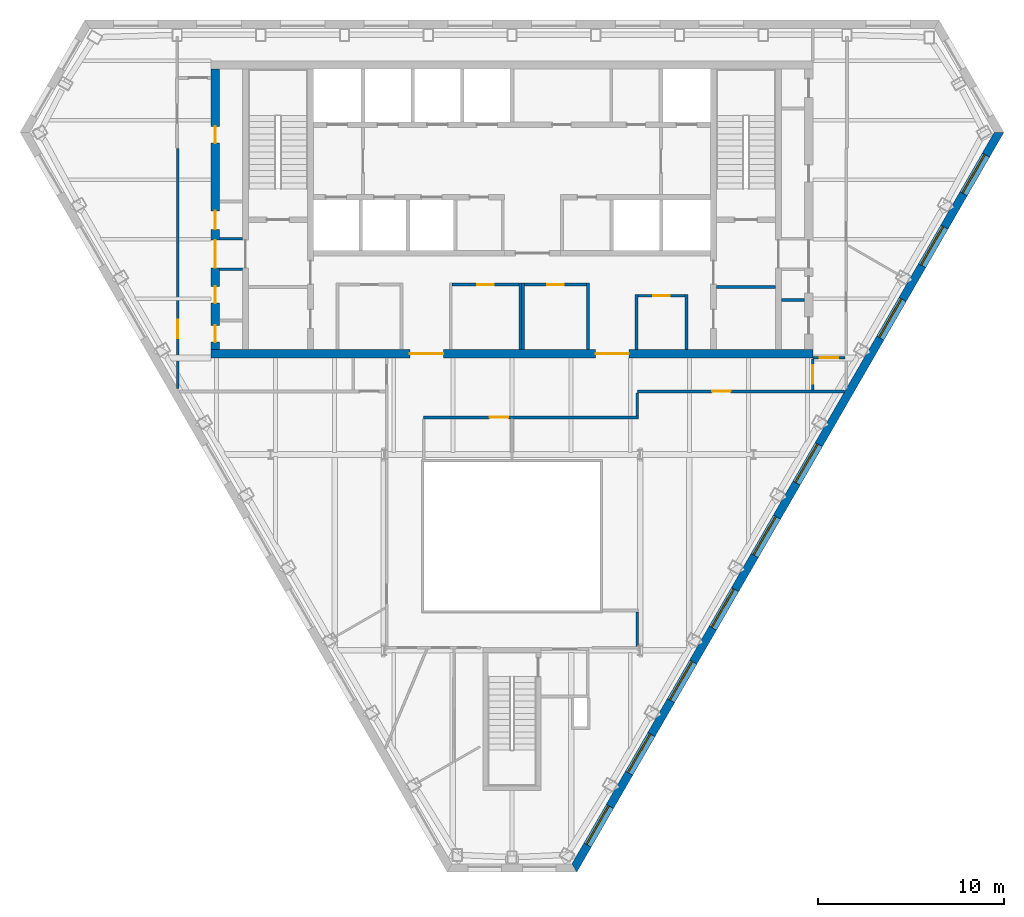
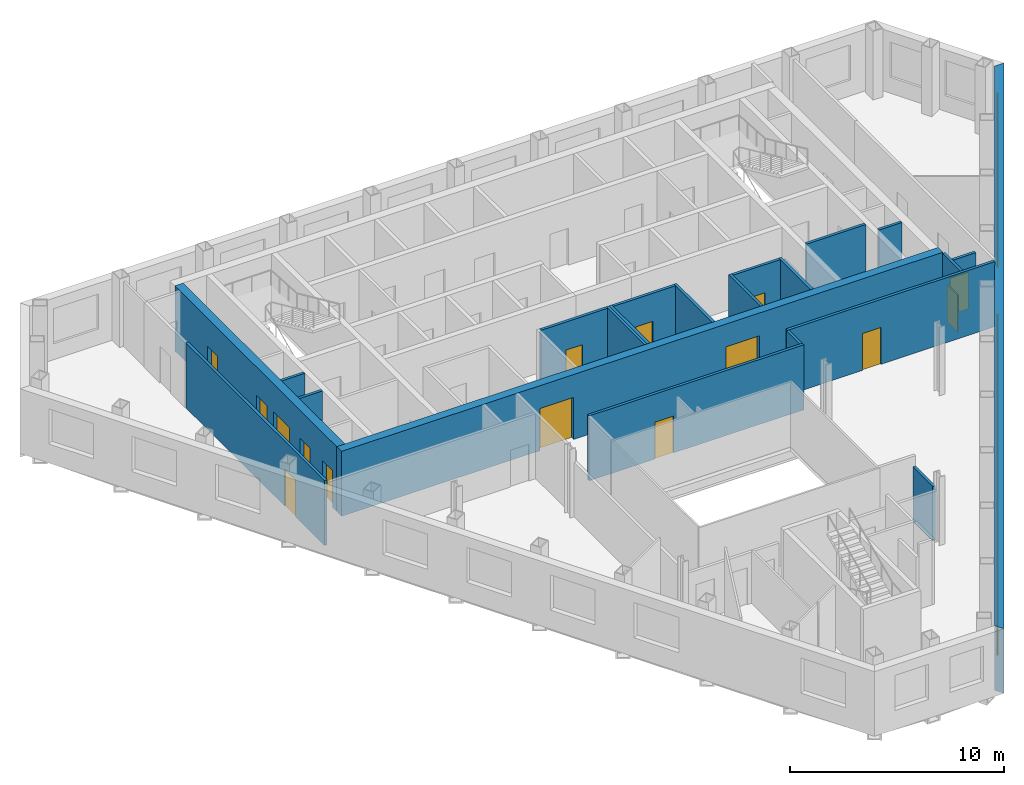
# One storey, part 5 of 11: 22 walls, 15 doors, 9 windows, 24 openings.
"""IFC4 building model written with IfcOpenShell, lengths in metres."""

from ifc_helpers import new_model, si_unit, direction, frame, frame_2d, origin, place, context, subcontext, project, spatial, polyline, rectangle, outline, extrude, material, layer, layer_set, type_object, element, fill, save


model = new_model("IFC4")

# Units and contexts
model_context = context("Model", 3, precision=1e-05, world=origin(), true_north=direction((0.0, 1.0)))
body_context = subcontext(model_context, "Body", "Model", "MODEL_VIEW")
ifc_project = project(units=[si_unit("LENGTHUNIT", "METRE"), si_unit("AREAUNIT", "SQUARE_METRE"), si_unit("VOLUMEUNIT", "CUBIC_METRE"), si_unit("PLANEANGLEUNIT", "RADIAN"), si_unit("MASSUNIT", "GRAM", prefix="KILO")], contexts=[model_context])

# Site, building, storey
site_placement = place(None, origin())
site = spatial("IfcSite", under=ifc_project, at=site_placement, CompositionType="ELEMENT")
building_placement = place(site_placement, origin())
building = spatial("IfcBuilding", under=site, at=building_placement, Name="Njiva Tower", CompositionType="ELEMENT")
storey_placement = place(building_placement, frame((0.0, 0.0, 216.0)))
storey = spatial("IfcBuildingStorey", under=building, at=storey_placement, Name="L48", CompositionType="ELEMENT", Elevation=216.0)

# Walls
ifc_material_1 = material(Name="Blockwork", Category="masonry")
ifc_layer_1 = layer(ifc_material_1, 0.15)
ifc_layer_set_1 = layer_set([ifc_layer_1], Name="Blockwork")
wall_type_1 = type_object("IfcWallType", Name="WT1 Compartment partition 150", PredefinedType="PARTITIONING", material=ifc_layer_set_1)
wall_1_placement = place(storey_placement, frame((11.0, 5.825, 0.0), z_axis=(0.0, 0.0, 1.0), x_axis=(1.0, 0.0, 0.0)))
element("IfcWall", 1, at=wall_1_placement, inside=storey, type_object=wall_type_1, Name="Room wall B", PredefinedType="PARTITIONING", context=body_context, shape_type="SweptSolid", body=[
    extrude(rectangle(XDim=3.2, YDim=0.15, at=frame_2d((1.6, 0.0))), origin(), (0.0, 0.0, 1.0), 3.7),
])
wall_2_placement = place(storey_placement, frame((0.45, 2.45, 0.0), z_axis=(0.0, 0.0, 1.0), x_axis=(0.0, 1.0, 0.0)))
element("IfcWall", 2, at=wall_2_placement, inside=storey, type_object=wall_type_1, Name="First aid room wall east", PredefinedType="PARTITIONING", context=body_context, shape_type="SweptSolid", body=[
    extrude(rectangle(XDim=3.575, YDim=0.15, at=frame_2d((1.7875, 0.0))), origin(), (0.0, 0.0, 1.0), 3.7),
])

# Wall, opening, door
wall_3_placement = place(storey_placement, frame((-3.225, 5.95, 0.0), z_axis=(0.0, 0.0, 1.0), x_axis=(1.0, 0.0, 0.0)))
wall_3 = element("IfcWall", 3, at=wall_3_placement, inside=storey, type_object=wall_type_1, Name="First aid room wall north", PredefinedType="PARTITIONING", context=body_context, shape_type="SweptSolid", body=[
    extrude(rectangle(XDim=3.6, YDim=0.15, at=frame_2d((1.8, 0.0))), origin(), (0.0, 0.0, 1.0), 3.7),
])
opening_1_placement = place(wall_3_placement, frame((1.35, 0.0, 0.0)))
opening_1 = element("IfcOpeningElement", 4, at=opening_1_placement, cuts=wall_3, Name="Opening S16-D934", PredefinedType="OPENING", context=body_context, shape_type="SweptSolid", body=[
    extrude(rectangle(XDim=0.9, YDim=2.1, at=frame_2d((0.45, 1.05))), frame((0.0, 0.085, 0.0), z_axis=(0.0, -1.0, 0.0), x_axis=(1.0, 0.0, 0.0)), (0.0, 0.0, 1.0), 0.17),
])
ifc_material_2 = material(Name="Steel fire door, painted", Category="steel")
door_type_1 = type_object("IfcDoorType", Name="D6 Fire-rated door 900x2100", OperationType="SINGLE_SWING_LEFT", PredefinedType="DOOR", material=ifc_material_2)
door_1_placement = place(opening_1_placement, origin())
door_1 = element("IfcDoor", 5, at=door_1_placement, inside=storey, type_object=door_type_1, Name="First aid room door", OperationType="SINGLE_SWING_LEFT", OverallHeight=2.1, OverallWidth=0.9, PredefinedType="DOOR", context=body_context, shape_type="SweptSolid", body=[
    extrude(rectangle(XDim=0.9, YDim=2.1, at=frame_2d((0.45, 1.05))), frame((0.0, 0.025, 0.0), z_axis=(0.0, -1.0, 0.0), x_axis=(1.0, 0.0, 0.0)), (0.0, 0.0, 1.0), 0.05),
])
fill(opening_1, door_1)

# Walls
for number, where, z_axis, x_axis, name in (
    (6, (0.6, 2.45, 0.0), (0.0, 0.0, 1.0), (0.0, 1.0, 0.0), "Parcel room wall west"),
    (7, (4.1, 2.45, 0.0), (0.0, 0.0, 1.0), (0.0, 1.0, 0.0), "Parcel room wall east"),
):
    element("IfcWall", number, at=place(storey_placement, frame(where, z_axis=z_axis, x_axis=x_axis)), inside=storey, type_object=wall_type_1, Name=name, PredefinedType="PARTITIONING", context=body_context, shape_type="SweptSolid", body=[
        extrude(rectangle(XDim=3.575, YDim=0.15, at=frame_2d((1.7875, 0.0))), origin(), (0.0, 0.0, 1.0), 3.7),
    ])

# Wall, opening, door
wall_4_placement = place(storey_placement, frame((0.675, 5.95, 0.0), z_axis=(0.0, 0.0, 1.0), x_axis=(1.0, 0.0, 0.0)))
wall_4 = element("IfcWall", 8, at=wall_4_placement, inside=storey, type_object=wall_type_1, Name="Parcel room wall north", PredefinedType="PARTITIONING", context=body_context, shape_type="SweptSolid", body=[
    extrude(rectangle(XDim=3.35, YDim=0.15, at=frame_2d((1.675, 0.0))), origin(), (0.0, 0.0, 1.0), 3.7),
])
opening_2_placement = place(wall_4_placement, frame((1.225, 0.0, 0.0)))
opening_2 = element("IfcOpeningElement", 9, at=opening_2_placement, cuts=wall_4, Name="Opening S16-D935", PredefinedType="OPENING", context=body_context, shape_type="SweptSolid", body=[
    extrude(rectangle(XDim=0.9, YDim=2.1, at=frame_2d((0.45, 1.05))), frame((0.0, 0.085, 0.0), z_axis=(0.0, -1.0, 0.0), x_axis=(1.0, 0.0, 0.0)), (0.0, 0.0, 1.0), 0.17),
])
door_2_placement = place(opening_2_placement, origin())
door_2 = element("IfcDoor", 10, at=door_2_placement, inside=storey, type_object=door_type_1, Name="Parcel room door", OperationType="SINGLE_SWING_LEFT", OverallHeight=2.1, OverallWidth=0.9, PredefinedType="DOOR", context=body_context, shape_type="SweptSolid", body=[
    extrude(rectangle(XDim=0.9, YDim=2.1, at=frame_2d((0.45, 1.05))), frame((0.0, 0.025, 0.0), z_axis=(0.0, -1.0, 0.0), x_axis=(1.0, 0.0, 0.0)), (0.0, 0.0, 1.0), 0.05),
])
fill(opening_2, door_2)

# Walls
for number, where, z_axis, x_axis, name in (
    (11, (6.7, 2.45, 0.0), (0.0, 0.0, 1.0), (0.0, 1.0, 0.0), "Security office wall west"),
    (12, (9.4, 2.45, 0.0), (0.0, 0.0, 1.0), (0.0, 1.0, 0.0), "Security office wall east"),
):
    element("IfcWall", number, at=place(storey_placement, frame(where, z_axis=z_axis, x_axis=x_axis)), inside=storey, type_object=wall_type_1, Name=name, PredefinedType="PARTITIONING", context=body_context, shape_type="SweptSolid", body=[
        extrude(rectangle(XDim=2.975, YDim=0.15, at=frame_2d((1.4875, 0.0))), origin(), (0.0, 0.0, 1.0), 3.7),
    ])

# Wall, opening, door
wall_5_placement = place(storey_placement, frame((6.775, 5.35, 0.0), z_axis=(0.0, 0.0, 1.0), x_axis=(1.0, 0.0, 0.0)))
wall_5 = element("IfcWall", 13, at=wall_5_placement, inside=storey, type_object=wall_type_1, Name="Security office wall north", PredefinedType="PARTITIONING", context=body_context, shape_type="SweptSolid", body=[
    extrude(rectangle(XDim=2.55, YDim=0.15, at=frame_2d((1.275, 0.0))), origin(), (0.0, 0.0, 1.0), 3.7),
])
opening_3_placement = place(wall_5_placement, frame((0.825, 0.0, 0.0)))
opening_3 = element("IfcOpeningElement", 14, at=opening_3_placement, cuts=wall_5, Name="Opening S16-D936", PredefinedType="OPENING", context=body_context, shape_type="SweptSolid", body=[
    extrude(rectangle(XDim=0.9, YDim=2.1, at=frame_2d((0.45, 1.05))), frame((0.0, 0.085, 0.0), z_axis=(0.0, -1.0, 0.0), x_axis=(1.0, 0.0, 0.0)), (0.0, 0.0, 1.0), 0.17),
])
door_3_placement = place(opening_3_placement, origin())
door_3 = element("IfcDoor", 15, at=door_3_placement, inside=storey, type_object=door_type_1, Name="Security office door", OperationType="SINGLE_SWING_RIGHT", OverallHeight=2.1, OverallWidth=0.9, PredefinedType="DOOR", context=body_context, shape_type="SweptSolid", body=[
    extrude(rectangle(XDim=0.9, YDim=2.1, at=frame_2d((0.45, 1.05))), frame((0.0, 0.025, 0.0), z_axis=(0.0, -1.0, 0.0), x_axis=(1.0, 0.0, 0.0)), (0.0, 0.0, 1.0), 0.05),
])
fill(opening_3, door_3)

# Wall, openings, doors
ifc_material_3 = material(Name="Concrete C60/75", Category="concrete")
ifc_layer_2 = layer(ifc_material_3, 0.45)
ifc_layer_set_2 = layer_set([ifc_layer_2], Name="Concrete C60/75")
wall_type_2 = type_object("IfcWallType", Name="WT12 Core wall 450", PredefinedType="SHEAR", material=ifc_layer_set_2)
wall_6_placement = place(storey_placement, frame((-16.2, 2.225, 0.0), z_axis=(0.0, 0.0, 1.0), x_axis=(1.0, 0.0, 0.0)))
wall_6 = element("IfcWall", 16, at=wall_6_placement, inside=storey, type_object=wall_type_2, Name="Core wall south", PredefinedType="SHEAR", context=body_context, shape_type="SweptSolid", body=[
    extrude(rectangle(XDim=32.4, YDim=0.45, at=frame_2d((16.2, 0.0))), origin(), (0.0, 0.0, 1.0), 3.7),
])
opening_4_placement = place(wall_6_placement, frame((10.7, 0.0, 0.0)))
opening_4 = element("IfcOpeningElement", 17, at=opening_4_placement, cuts=wall_6, Name="Opening S16-D938", PredefinedType="OPENING", context=body_context, shape_type="SweptSolid", body=[
    extrude(rectangle(XDim=1.8, YDim=2.4, at=frame_2d((0.9, 1.2))), frame((0.0, 0.235, 0.0), z_axis=(0.0, -1.0, 0.0), x_axis=(1.0, 0.0, 0.0)), (0.0, 0.0, 1.0), 0.47),
])
opening_5_placement = place(wall_6_placement, frame((20.7, 0.0, 0.0)))
opening_5 = element("IfcOpeningElement", 18, at=opening_5_placement, cuts=wall_6, Name="Opening S16-D939", PredefinedType="OPENING", context=body_context, shape_type="SweptSolid", body=[
    extrude(rectangle(XDim=1.8, YDim=2.4, at=frame_2d((0.9, 1.2))), frame((0.0, 0.235, 0.0), z_axis=(0.0, -1.0, 0.0), x_axis=(1.0, 0.0, 0.0)), (0.0, 0.0, 1.0), 0.47),
])
ifc_material_4 = material(Name="Steel and glass door", Category="steel")
door_type_2 = type_object("IfcDoorType", Name="D3 Core entrance door 1800x2400", OperationType="DOUBLE_DOOR_SINGLE_SWING", PredefinedType="DOOR", material=ifc_material_4)
door_4_placement = place(opening_4_placement, origin())
door_4 = element("IfcDoor", 19, at=door_4_placement, inside=storey, type_object=door_type_2, Name="Core entrance door", OperationType="DOUBLE_DOOR_SINGLE_SWING", OverallHeight=2.4, OverallWidth=1.8, PredefinedType="DOOR", context=body_context, shape_type="SweptSolid", body=[
    extrude(rectangle(XDim=1.8, YDim=2.4, at=frame_2d((0.9, 1.2))), frame((0.0, 0.025, 0.0), z_axis=(0.0, -1.0, 0.0), x_axis=(1.0, 0.0, 0.0)), (0.0, 0.0, 1.0), 0.05),
])
fill(opening_4, door_4)
door_5_placement = place(opening_5_placement, origin())
door_5 = element("IfcDoor", 20, at=door_5_placement, inside=storey, type_object=door_type_2, Name="Core entrance door", OperationType="DOUBLE_DOOR_SINGLE_SWING", OverallHeight=2.4, OverallWidth=1.8, PredefinedType="DOOR", context=body_context, shape_type="SweptSolid", body=[
    extrude(rectangle(XDim=1.8, YDim=2.4, at=frame_2d((0.9, 1.2))), frame((0.0, 0.025, 0.0), z_axis=(0.0, -1.0, 0.0), x_axis=(1.0, 0.0, 0.0)), (0.0, 0.0, 1.0), 0.05),
])
fill(opening_5, door_5)

wall_7_placement = place(storey_placement, frame((-15.975, 2.45, 0.0), z_axis=(0.0, 0.0, 1.0), x_axis=(0.0, 1.0, 0.0)))
wall_7 = element("IfcWall", 21, at=wall_7_placement, inside=storey, type_object=wall_type_2, Name="Core wall west", PredefinedType="SHEAR", context=body_context, shape_type="SweptSolid", body=[
    extrude(rectangle(XDim=15.1, YDim=0.45, at=frame_2d((7.55, 0.0))), origin(), (0.0, 0.0, 1.0), 3.7),
])
opening_6_placement = place(wall_7_placement, frame((4.4, 0.0, 0.0)))
opening_6 = element("IfcOpeningElement", 22, at=opening_6_placement, cuts=wall_7, Name="Opening S16-D922", PredefinedType="OPENING", context=body_context, shape_type="SweptSolid", body=[
    extrude(rectangle(XDim=1.5, YDim=2.1, at=frame_2d((0.75, 1.05))), frame((0.0, 0.235, 0.0), z_axis=(0.0, -1.0, 0.0), x_axis=(1.0, 0.0, 0.0)), (0.0, 0.0, 1.0), 0.47),
])
opening_7_placement = place(wall_7_placement, frame((0.4, 0.0, 0.0)))
opening_7 = element("IfcOpeningElement", 23, at=opening_7_placement, cuts=wall_7, Name="Opening S16-D923", PredefinedType="OPENING", context=body_context, shape_type="SweptSolid", body=[
    extrude(rectangle(XDim=0.9, YDim=2.1, at=frame_2d((0.45, 1.05))), frame((0.0, 0.235, 0.0), z_axis=(0.0, -1.0, 0.0), x_axis=(1.0, 0.0, 0.0)), (0.0, 0.0, 1.0), 0.47),
])
opening_8_placement = place(wall_7_placement, frame((2.5, 0.0, 0.0)))
opening_8 = element("IfcOpeningElement", 24, at=opening_8_placement, cuts=wall_7, Name="Opening S16-D924", PredefinedType="OPENING", context=body_context, shape_type="SweptSolid", body=[
    extrude(rectangle(XDim=0.9, YDim=2.1, at=frame_2d((0.45, 1.05))), frame((0.0, 0.235, 0.0), z_axis=(0.0, -1.0, 0.0), x_axis=(1.0, 0.0, 0.0)), (0.0, 0.0, 1.0), 0.47),
])
opening_9_placement = place(wall_7_placement, frame((6.4747, 0.0, 0.0)))
opening_9 = element("IfcOpeningElement", 25, at=opening_9_placement, cuts=wall_7, Name="Opening S16-D925", PredefinedType="OPENING", context=body_context, shape_type="SweptSolid", body=[
    extrude(rectangle(XDim=1.0, YDim=2.1, at=frame_2d((0.5, 1.05))), frame((0.0, 0.235, 0.0), z_axis=(0.0, -1.0, 0.0), x_axis=(1.0, 0.0, 0.0)), (0.0, 0.0, 1.0), 0.47),
])
opening_10_placement = place(wall_7_placement, frame((11.1247, 0.0, 0.0)))
opening_10 = element("IfcOpeningElement", 26, at=opening_10_placement, cuts=wall_7, Name="Opening S16-D926", PredefinedType="OPENING", context=body_context, shape_type="SweptSolid", body=[
    extrude(rectangle(XDim=0.9, YDim=2.1, at=frame_2d((0.45, 1.05))), frame((0.0, 0.235, 0.0), z_axis=(0.0, -1.0, 0.0), x_axis=(1.0, 0.0, 0.0)), (0.0, 0.0, 1.0), 0.47),
])
ifc_material_5 = material(Name="Glazed steel fire door", Category="steel")
door_type_3 = type_object("IfcDoorType", Name="D10 Exit door double 1500x2100 glazed", OperationType="DOUBLE_DOOR_SINGLE_SWING", PredefinedType="DOOR", material=ifc_material_5)
door_6_placement = place(opening_6_placement, origin())
door_6 = element("IfcDoor", 27, at=door_6_placement, inside=storey, type_object=door_type_3, Name="Stair A corridor door", OperationType="DOUBLE_DOOR_SINGLE_SWING", OverallHeight=2.1, OverallWidth=1.5, PredefinedType="DOOR", context=body_context, shape_type="SweptSolid", body=[
    extrude(rectangle(XDim=1.5, YDim=2.1, at=frame_2d((0.75, 1.05))), frame((0.0, 0.025, 0.0), z_axis=(0.0, -1.0, 0.0), x_axis=(1.0, 0.0, 0.0)), (0.0, 0.0, 1.0), 0.05),
])
fill(opening_6, door_6)
ifc_material_6 = material(Name="Steel door, painted", Category="steel")
door_type_4 = type_object("IfcDoorType", Name="D4 Riser door 900x2100", OperationType="SINGLE_SWING_LEFT", PredefinedType="DOOR", material=ifc_material_6)
door_7_placement = place(opening_7_placement, origin())
door_7 = element("IfcDoor", 28, at=door_7_placement, inside=storey, type_object=door_type_4, Name="Cable riser door", OperationType="SINGLE_SWING_RIGHT", OverallHeight=2.1, OverallWidth=0.9, PredefinedType="DOOR", context=body_context, shape_type="SweptSolid", body=[
    extrude(rectangle(XDim=0.9, YDim=2.1, at=frame_2d((0.45, 1.05))), frame((0.0, 0.025, 0.0), z_axis=(0.0, -1.0, 0.0), x_axis=(1.0, 0.0, 0.0)), (0.0, 0.0, 1.0), 0.05),
])
fill(opening_7, door_7)
door_type_5 = type_object("IfcDoorType", Name="D5 Steel door 1000x2100", OperationType="SINGLE_SWING_LEFT", PredefinedType="DOOR", material=ifc_material_6)
door_8_placement = place(opening_9_placement, origin())
door_8 = element("IfcDoor", 29, at=door_8_placement, inside=storey, type_object=door_type_5, Name="Electrical room door", OperationType="SINGLE_SWING_RIGHT", OverallHeight=2.1, OverallWidth=1.0, PredefinedType="DOOR", context=body_context, shape_type="SweptSolid", body=[
    extrude(rectangle(XDim=1.0, YDim=2.1, at=frame_2d((0.5, 1.05))), frame((0.0, 0.025, 0.0), z_axis=(0.0, -1.0, 0.0), x_axis=(1.0, 0.0, 0.0)), (0.0, 0.0, 1.0), 0.05),
])
fill(opening_9, door_8)
door_9_placement = place(opening_8_placement, origin())
door_9 = element("IfcDoor", 30, at=door_9_placement, inside=storey, type_object=door_type_1, Name="Cable store door", OperationType="SINGLE_SWING_RIGHT", OverallHeight=2.1, OverallWidth=0.9, PredefinedType="DOOR", context=body_context, shape_type="SweptSolid", body=[
    extrude(rectangle(XDim=0.9, YDim=2.1, at=frame_2d((0.45, 1.05))), frame((0.0, 0.025, 0.0), z_axis=(0.0, -1.0, 0.0), x_axis=(1.0, 0.0, 0.0)), (0.0, 0.0, 1.0), 0.05),
])
fill(opening_8, door_9)
door_10_placement = place(opening_10_placement, origin())
door_10 = element("IfcDoor", 31, at=door_10_placement, inside=storey, type_object=door_type_1, Name="Cable store door", OperationType="SINGLE_SWING_LEFT", OverallHeight=2.1, OverallWidth=0.9, PredefinedType="DOOR", context=body_context, shape_type="SweptSolid", body=[
    extrude(rectangle(XDim=0.9, YDim=2.1, at=frame_2d((0.45, 1.05))), frame((0.0, 0.025, 0.0), z_axis=(0.0, -1.0, 0.0), x_axis=(1.0, 0.0, 0.0)), (0.0, 0.0, 1.0), 0.05),
])
fill(opening_10, door_10)

# Wall, opening, door
ifc_material_7 = material(Name="Gypsum board on steel studs", Category="gypsum")
ifc_layer_3 = layer(ifc_material_7, 0.15)
ifc_layer_set_3 = layer_set([ifc_layer_3], Name="Gypsum board on steel studs")
wall_type_3 = type_object("IfcWallType", Name="WT21 Compartment wall 150", PredefinedType="PARTITIONING", material=ifc_layer_set_3)
wall_8_placement = place(storey_placement, frame((-18.001, 0.344, 0.0), z_axis=(0.0, 0.0, 1.0), x_axis=(7.732158e-05, 0.999999997011, 0.0)))
wall_8 = element("IfcWall", 32, at=wall_8_placement, inside=storey, type_object=wall_type_3, Name="Partition S16-P003", PredefinedType="PARTITIONING", context=body_context, shape_type="SweptSolid", body=[
    extrude(rectangle(XDim=12.933, YDim=0.15, at=frame_2d((6.4665, 0.0))), origin(), (0.0, 0.0, 1.0), 3.7),
])
opening_11_placement = place(wall_8_placement, frame((2.707, 0.0, 0.0)))
opening_11 = element("IfcOpeningElement", 33, at=opening_11_placement, cuts=wall_8, Name="Opening S16-D002", PredefinedType="OPENING", context=body_context, shape_type="SweptSolid", body=[
    extrude(rectangle(XDim=1.0, YDim=2.1, at=frame_2d((0.5, 1.05))), frame((0.0, 0.085, 0.0), z_axis=(0.0, -1.0, 0.0), x_axis=(1.0, 0.0, 0.0)), (0.0, 0.0, 1.0), 0.17),
])
ifc_material_8 = material(Name="Steel fire door set", Category="steel")
door_type_6 = type_object("IfcDoorType", Name="D37 Fire door 1000x2100", OperationType="SINGLE_SWING_LEFT", PredefinedType="DOOR", material=ifc_material_8)
door_11_placement = place(opening_11_placement, origin())
door_11 = element("IfcDoor", 34, at=door_11_placement, inside=storey, type_object=door_type_6, Name="Door S16-D002", OperationType="SINGLE_SWING_RIGHT", OverallHeight=2.1, OverallWidth=1.0, PredefinedType="DOOR", context=body_context, shape_type="SweptSolid", body=[
    extrude(rectangle(XDim=1.0, YDim=2.1, at=frame_2d((0.5, 1.05))), frame((0.0, 0.025, 0.0), z_axis=(0.0, -1.0, 0.0), x_axis=(1.0, 0.0, 0.0)), (0.0, 0.0, 1.0), 0.05),
])
fill(opening_11, door_11)

wall_9_placement = place(storey_placement, frame((-4.762, -1.2, 0.0), z_axis=(0.0, 0.0, 1.0), x_axis=(1.0, 0.0, 0.0)))
wall_9 = element("IfcWall", 35, at=wall_9_placement, inside=storey, type_object=wall_type_3, Name="Partition S16-P012", PredefinedType="PARTITIONING", context=body_context, shape_type="SweptSolid", body=[
    extrude(rectangle(XDim=11.587, YDim=0.15, at=frame_2d((5.7935, 0.0))), origin(), (0.0, 0.0, 1.0), 3.7),
])
opening_12_placement = place(wall_9_placement, frame((3.561, 0.0, 0.0)))
opening_12 = element("IfcOpeningElement", 36, at=opening_12_placement, cuts=wall_9, Name="Opening S16-D010", PredefinedType="OPENING", context=body_context, shape_type="SweptSolid", body=[
    extrude(rectangle(XDim=1.0, YDim=2.1, at=frame_2d((0.5, 1.05))), frame((0.0, 0.085, 0.0), z_axis=(0.0, -1.0, 0.0), x_axis=(1.0, 0.0, 0.0)), (0.0, 0.0, 1.0), 0.17),
])
door_12_placement = place(opening_12_placement, origin())
door_12 = element("IfcDoor", 37, at=door_12_placement, inside=storey, type_object=door_type_6, Name="Door S16-D010", OperationType="SINGLE_SWING_LEFT", OverallHeight=2.1, OverallWidth=1.0, PredefinedType="DOOR", context=body_context, shape_type="SweptSolid", body=[
    extrude(rectangle(XDim=1.0, YDim=2.1, at=frame_2d((0.5, 1.05))), frame((0.0, 0.025, 0.0), z_axis=(0.0, -1.0, 0.0), x_axis=(1.0, 0.0, 0.0)), (0.0, 0.0, 1.0), 0.05),
])
fill(opening_12, door_12)

# Walls
wall_10_placement = place(storey_placement, frame((6.75, -13.525, 0.0), z_axis=(0.0, 0.0, 1.0), x_axis=(0.0, 1.0, 0.0)))
element("IfcWall", 38, at=wall_10_placement, inside=storey, type_object=wall_type_3, Name="Partition S16-P019", PredefinedType="PARTITIONING", context=body_context, shape_type="SweptSolid", body=[
    extrude(rectangle(XDim=1.85, YDim=0.15, at=frame_2d((0.925, 0.0))), origin(), (0.0, 0.0, 1.0), 3.11),
])
wall_11_placement = place(storey_placement, frame((6.75, -1.125, 0.0), z_axis=(0.0, 0.0, 1.0), x_axis=(0.0, 1.0, 0.0)))
element("IfcWall", 39, at=wall_11_placement, inside=storey, type_object=wall_type_3, Name="Partition S16-P020", PredefinedType="PARTITIONING", context=body_context, shape_type="SweptSolid", body=[
    extrude(rectangle(XDim=1.25, YDim=0.15, at=frame_2d((0.625, 0.0))), origin(), (0.0, 0.0, 1.0), 3.7),
])

# Wall, opening, door
wall_12_placement = place(storey_placement, frame((6.75, 0.2, 0.0), z_axis=(0.0, 0.0, 1.0), x_axis=(1.0, 0.0, 0.0)))
wall_12 = element("IfcWall", 40, at=wall_12_placement, inside=storey, type_object=wall_type_3, Name="Partition S16-P021", PredefinedType="PARTITIONING", context=body_context, shape_type="SweptSolid", body=[
    extrude(rectangle(XDim=11.168, YDim=0.15, at=frame_2d((5.584, 0.0))), origin(), (0.0, 0.0, 1.0), 3.7),
])
opening_13_placement = place(wall_12_placement, frame((4.03, 0.0, 0.0)))
opening_13 = element("IfcOpeningElement", 41, at=opening_13_placement, cuts=wall_12, Name="Opening S16-D011", PredefinedType="OPENING", context=body_context, shape_type="SweptSolid", body=[
    extrude(rectangle(XDim=1.0, YDim=2.1, at=frame_2d((0.5, 1.05))), frame((0.0, 0.085, 0.0), z_axis=(0.0, -1.0, 0.0), x_axis=(1.0, 0.0, 0.0)), (0.0, 0.0, 1.0), 0.17),
])
door_13_placement = place(opening_13_placement, origin())
door_13 = element("IfcDoor", 42, at=door_13_placement, inside=storey, type_object=door_type_6, Name="Door S16-D011", OperationType="SINGLE_SWING_LEFT", OverallHeight=2.1, OverallWidth=1.0, PredefinedType="DOOR", context=body_context, shape_type="SweptSolid", body=[
    extrude(rectangle(XDim=1.0, YDim=2.1, at=frame_2d((0.5, 1.05))), frame((0.0, 0.025, 0.0), z_axis=(0.0, -1.0, 0.0), x_axis=(1.0, 0.0, 0.0)), (0.0, 0.0, 1.0), 0.05),
])
fill(opening_13, door_13)

wall_13_placement = place(storey_placement, frame((16.2, 0.275, 0.0), z_axis=(0.0, 0.0, 1.0), x_axis=(0.0, 1.0, 0.0)))
wall_13 = element("IfcWall", 43, at=wall_13_placement, inside=storey, type_object=wall_type_3, Name="Partition S16-P022", PredefinedType="PARTITIONING", context=body_context, shape_type="SweptSolid", body=[
    extrude(rectangle(XDim=1.662, YDim=0.15, at=frame_2d((0.831, 0.0))), origin(), (0.0, 0.0, 1.0), 3.7),
])
opening_14_placement = place(wall_13_placement, frame((0.331, 0.0, 0.0)))
opening_14 = element("IfcOpeningElement", 44, at=opening_14_placement, cuts=wall_13, Name="Opening S16-D012", PredefinedType="OPENING", context=body_context, shape_type="SweptSolid", body=[
    extrude(rectangle(XDim=1.0, YDim=2.1, at=frame_2d((0.5, 1.05))), frame((0.0, 0.085, 0.0), z_axis=(0.0, -1.0, 0.0), x_axis=(1.0, 0.0, 0.0)), (0.0, 0.0, 1.0), 0.17),
])
door_14_placement = place(opening_14_placement, origin())
door_14 = element("IfcDoor", 45, at=door_14_placement, inside=storey, type_object=door_type_6, Name="Door S16-D012", OperationType="SINGLE_SWING_LEFT", OverallHeight=2.1, OverallWidth=1.0, PredefinedType="DOOR", context=body_context, shape_type="SweptSolid", body=[
    extrude(rectangle(XDim=1.0, YDim=2.1, at=frame_2d((0.5, 1.05))), frame((0.0, 0.025, 0.0), z_axis=(0.0, -1.0, 0.0), x_axis=(1.0, 0.0, 0.0)), (0.0, 0.0, 1.0), 0.05),
])
fill(opening_14, door_14)

wall_14_placement = place(storey_placement, frame((16.2, 2.012, 0.0), z_axis=(0.0, 0.0, 1.0), x_axis=(1.0, 0.0, 0.0)))
wall_14 = element("IfcWall", 46, at=wall_14_placement, inside=storey, type_object=wall_type_3, Name="Partition S16-P023", PredefinedType="PARTITIONING", context=body_context, shape_type="SweptSolid", body=[
    extrude(rectangle(XDim=1.726, YDim=0.15, at=frame_2d((0.863, 0.0))), origin(), (0.0, 0.0, 1.0), 3.11),
])
opening_15_placement = place(wall_14_placement, frame((0.363, 0.0, 0.0)))
opening_15 = element("IfcOpeningElement", 47, at=opening_15_placement, cuts=wall_14, Name="Opening S16-D013", PredefinedType="OPENING", context=body_context, shape_type="SweptSolid", body=[
    extrude(rectangle(XDim=1.0, YDim=2.1, at=frame_2d((0.5, 1.05))), frame((0.0, 0.085, 0.0), z_axis=(0.0, -1.0, 0.0), x_axis=(1.0, 0.0, 0.0)), (0.0, 0.0, 1.0), 0.17),
])
door_15_placement = place(opening_15_placement, origin())
door_15 = element("IfcDoor", 48, at=door_15_placement, inside=storey, type_object=door_type_6, Name="Door S16-D013", OperationType="SINGLE_SWING_LEFT", OverallHeight=2.1, OverallWidth=1.0, PredefinedType="DOOR", context=body_context, shape_type="SweptSolid", body=[
    extrude(rectangle(XDim=1.0, YDim=2.1, at=frame_2d((0.5, 1.05))), frame((0.0, 0.025, 0.0), z_axis=(0.0, -1.0, 0.0), x_axis=(1.0, 0.0, 0.0)), (0.0, 0.0, 1.0), 0.05),
])
fill(opening_15, door_15)

# Walls
ifc_layer_4 = layer(ifc_material_1, 0.15)
ifc_layer_set_4 = layer_set([ifc_layer_4], Name="Blockwork")
wall_type_4 = type_object("IfcWallType", Name="WT3 Riser partition 150", PredefinedType="PARTITIONING", material=ifc_layer_set_4)
wall_15_placement = place(storey_placement, frame((14.5, 5.125, 0.0), z_axis=(0.0, 0.0, 1.0), x_axis=(1.0, 0.0, 0.0)))
element("IfcWall", 49, at=wall_15_placement, inside=storey, type_object=wall_type_4, Name="Partition strip E00", PredefinedType="PARTITIONING", context=body_context, shape_type="SweptSolid", body=[
    extrude(rectangle(XDim=1.25, YDim=0.15, at=frame_2d((0.625, 0.0))), origin(), (0.0, 0.0, 1.0), 3.7),
])
ifc_layer_5 = layer(ifc_material_1, 0.15)
ifc_layer_set_5 = layer_set([ifc_layer_5], Name="Blockwork")
wall_type_5 = type_object("IfcWallType", Name="WT4 Stair partition 150", PredefinedType="PARTITIONING", material=ifc_layer_set_5)
for number, where, z_axis, x_axis, name in (
    (50, (-15.75, 6.775, 0.0), (0.0, 0.0, 1.0), (1.0, 0.0, 0.0), "Stair A exit passage wall south"),
    (51, (-15.75, 8.425, 0.0), (0.0, 0.0, 1.0), (1.0, 0.0, 0.0), "Stair A exit passage wall north"),
):
    element("IfcWall", number, at=place(storey_placement, frame(where, z_axis=z_axis, x_axis=x_axis)), inside=storey, type_object=wall_type_5, Name=name, PredefinedType="PARTITIONING", context=body_context, shape_type="SweptSolid", body=[
        extrude(rectangle(XDim=1.25, YDim=0.15, at=frame_2d((0.625, 0.0))), origin(), (0.0, 0.0, 1.0), 3.7),
    ])

# Wall, openings, windows
ifc_material_9 = material(Name="Brick masonry", Category="masonry")
ifc_layer_6 = layer(ifc_material_9, 0.45)
ifc_layer_set_6 = layer_set([ifc_layer_6], Name="Brick masonry")
wall_type_6 = type_object("IfcWallType", Name="WT90 Brick pier and spandrel wall 450", PredefinedType="SOLIDWALL", material=ifc_layer_set_6)
wall_16_placement = place(storey_placement, frame((3.3601, -25.4657, -0.18), z_axis=(0.0, 0.0, 1.0), x_axis=(0.500000335318, 0.866025210188, 0.0)))
wall_16 = element("IfcWall", 52, at=wall_16_placement, inside=storey, type_object=wall_type_6, Name="Facade wall SE", PredefinedType="SOLIDWALL", context=body_context, shape_type="SweptSolid", body=[
    extrude(outline(polyline([(-0.1299, -0.225), (45.8801, -0.225), (45.6203, 0.225), (0.1299, 0.225), (-0.1299, -0.225)])), origin(), (0.0, 0.0, 1.0), 3.68),
])
opening_16_placement = place(wall_16_placement, frame((1.4247, 0.0, 1.08)))
opening_16 = element("IfcOpeningElement", 53, at=opening_16_placement, cuts=wall_16, Name="Opening S16-W22", PredefinedType="OPENING", context=body_context, shape_type="SweptSolid", body=[
    extrude(rectangle(XDim=2.4, YDim=2.0, at=frame_2d((1.2, 1.0))), frame((0.0, 0.235, 0.0), z_axis=(0.0, -1.0, 0.0), x_axis=(1.0, 0.0, 0.0)), (0.0, 0.0, 1.0), 0.47),
])
opening_17_placement = place(wall_16_placement, frame((5.8949, 0.0, 1.08)))
opening_17 = element("IfcOpeningElement", 54, at=opening_17_placement, cuts=wall_16, Name="Opening S16-W23", PredefinedType="OPENING", context=body_context, shape_type="SweptSolid", body=[
    extrude(rectangle(XDim=2.4, YDim=2.0, at=frame_2d((1.2, 1.0))), frame((0.0, 0.235, 0.0), z_axis=(0.0, -1.0, 0.0), x_axis=(1.0, 0.0, 0.0)), (0.0, 0.0, 1.0), 0.47),
])
opening_18_placement = place(wall_16_placement, frame((10.4035, 0.0, 1.08)))
opening_18 = element("IfcOpeningElement", 55, at=opening_18_placement, cuts=wall_16, Name="Opening S16-W24", PredefinedType="OPENING", context=body_context, shape_type="SweptSolid", body=[
    extrude(rectangle(XDim=2.4, YDim=2.0, at=frame_2d((1.2, 1.0))), frame((0.0, 0.235, 0.0), z_axis=(0.0, -1.0, 0.0), x_axis=(1.0, 0.0, 0.0)), (0.0, 0.0, 1.0), 0.47),
])
opening_19_placement = place(wall_16_placement, frame((14.9122, 0.0, 1.08)))
opening_19 = element("IfcOpeningElement", 56, at=opening_19_placement, cuts=wall_16, Name="Opening S16-W25", PredefinedType="OPENING", context=body_context, shape_type="SweptSolid", body=[
    extrude(rectangle(XDim=2.4, YDim=2.0, at=frame_2d((1.2, 1.0))), frame((0.0, 0.235, 0.0), z_axis=(0.0, -1.0, 0.0), x_axis=(1.0, 0.0, 0.0)), (0.0, 0.0, 1.0), 0.47),
])
opening_20_placement = place(wall_16_placement, frame((19.4208, 0.0, 1.08)))
opening_20 = element("IfcOpeningElement", 57, at=opening_20_placement, cuts=wall_16, Name="Opening S16-W26", PredefinedType="OPENING", context=body_context, shape_type="SweptSolid", body=[
    extrude(rectangle(XDim=2.4, YDim=2.0, at=frame_2d((1.2, 1.0))), frame((0.0, 0.235, 0.0), z_axis=(0.0, -1.0, 0.0), x_axis=(1.0, 0.0, 0.0)), (0.0, 0.0, 1.0), 0.47),
])
opening_21_placement = place(wall_16_placement, frame((23.9294, 0.0, 1.08)))
opening_21 = element("IfcOpeningElement", 58, at=opening_21_placement, cuts=wall_16, Name="Opening S16-W27", PredefinedType="OPENING", context=body_context, shape_type="SweptSolid", body=[
    extrude(rectangle(XDim=2.4, YDim=2.0, at=frame_2d((1.2, 1.0))), frame((0.0, 0.235, 0.0), z_axis=(0.0, -1.0, 0.0), x_axis=(1.0, 0.0, 0.0)), (0.0, 0.0, 1.0), 0.47),
])
opening_22_placement = place(wall_16_placement, frame((32.9466, 0.0, 1.08)))
opening_22 = element("IfcOpeningElement", 59, at=opening_22_placement, cuts=wall_16, Name="Opening S16-W28", PredefinedType="OPENING", context=body_context, shape_type="SweptSolid", body=[
    extrude(rectangle(XDim=2.4, YDim=2.0, at=frame_2d((1.2, 1.0))), frame((0.0, 0.235, 0.0), z_axis=(0.0, -1.0, 0.0), x_axis=(1.0, 0.0, 0.0)), (0.0, 0.0, 1.0), 0.47),
])
opening_23_placement = place(wall_16_placement, frame((37.4553, 0.0, 1.08)))
opening_23 = element("IfcOpeningElement", 60, at=opening_23_placement, cuts=wall_16, Name="Opening S16-W29", PredefinedType="OPENING", context=body_context, shape_type="SweptSolid", body=[
    extrude(rectangle(XDim=2.4, YDim=2.0, at=frame_2d((1.2, 1.0))), frame((0.0, 0.235, 0.0), z_axis=(0.0, -1.0, 0.0), x_axis=(1.0, 0.0, 0.0)), (0.0, 0.0, 1.0), 0.47),
])
opening_24_placement = place(wall_16_placement, frame((41.9255, 0.0, 1.08)))
opening_24 = element("IfcOpeningElement", 61, at=opening_24_placement, cuts=wall_16, Name="Opening S16-W30", PredefinedType="OPENING", context=body_context, shape_type="SweptSolid", body=[
    extrude(rectangle(XDim=2.4, YDim=2.0, at=frame_2d((1.2, 1.0))), frame((0.0, 0.235, 0.0), z_axis=(0.0, -1.0, 0.0), x_axis=(1.0, 0.0, 0.0)), (0.0, 0.0, 1.0), 0.47),
])
ifc_material_10 = material(Name="Clear glazing in aluminium frame", Category="aluminium")
window_type = type_object("IfcWindowType", Name="W90 Deep-set window 2400x2000", PartitioningType="SINGLE_PANEL", PredefinedType="WINDOW", material=ifc_material_10)
window_1_placement = place(opening_16_placement, origin())
window_1 = element("IfcWindow", 62, at=window_1_placement, inside=storey, type_object=window_type, Name="Window", OverallHeight=2.0, OverallWidth=2.4, PartitioningType="SINGLE_PANEL", PredefinedType="WINDOW", context=body_context, shape_type="SweptSolid", body=[
    extrude(rectangle(XDim=2.4, YDim=2.0, at=frame_2d((1.2, 1.0))), frame((0.0, 0.105, 0.0), z_axis=(0.0, -1.0, 0.0), x_axis=(1.0, 0.0, 0.0)), (0.0, 0.0, 1.0), 0.06),
])
fill(opening_16, window_1)
window_2_placement = place(opening_17_placement, origin())
window_2 = element("IfcWindow", 63, at=window_2_placement, inside=storey, type_object=window_type, Name="Window", OverallHeight=2.0, OverallWidth=2.4, PartitioningType="SINGLE_PANEL", PredefinedType="WINDOW", context=body_context, shape_type="SweptSolid", body=[
    extrude(rectangle(XDim=2.4, YDim=2.0, at=frame_2d((1.2, 1.0))), frame((0.0, 0.105, 0.0), z_axis=(0.0, -1.0, 0.0), x_axis=(1.0, 0.0, 0.0)), (0.0, 0.0, 1.0), 0.06),
])
fill(opening_17, window_2)
window_3_placement = place(opening_18_placement, origin())
window_3 = element("IfcWindow", 64, at=window_3_placement, inside=storey, type_object=window_type, Name="Window", OverallHeight=2.0, OverallWidth=2.4, PartitioningType="SINGLE_PANEL", PredefinedType="WINDOW", context=body_context, shape_type="SweptSolid", body=[
    extrude(rectangle(XDim=2.4, YDim=2.0, at=frame_2d((1.2, 1.0))), frame((0.0, 0.105, 0.0), z_axis=(0.0, -1.0, 0.0), x_axis=(1.0, 0.0, 0.0)), (0.0, 0.0, 1.0), 0.06),
])
fill(opening_18, window_3)
window_4_placement = place(opening_19_placement, origin())
window_4 = element("IfcWindow", 65, at=window_4_placement, inside=storey, type_object=window_type, Name="Window", OverallHeight=2.0, OverallWidth=2.4, PartitioningType="SINGLE_PANEL", PredefinedType="WINDOW", context=body_context, shape_type="SweptSolid", body=[
    extrude(rectangle(XDim=2.4, YDim=2.0, at=frame_2d((1.2, 1.0))), frame((0.0, 0.105, 0.0), z_axis=(0.0, -1.0, 0.0), x_axis=(1.0, 0.0, 0.0)), (0.0, 0.0, 1.0), 0.06),
])
fill(opening_19, window_4)
window_5_placement = place(opening_20_placement, origin())
window_5 = element("IfcWindow", 66, at=window_5_placement, inside=storey, type_object=window_type, Name="Window", OverallHeight=2.0, OverallWidth=2.4, PartitioningType="SINGLE_PANEL", PredefinedType="WINDOW", context=body_context, shape_type="SweptSolid", body=[
    extrude(rectangle(XDim=2.4, YDim=2.0, at=frame_2d((1.2, 1.0))), frame((0.0, 0.105, 0.0), z_axis=(0.0, -1.0, 0.0), x_axis=(1.0, 0.0, 0.0)), (0.0, 0.0, 1.0), 0.06),
])
fill(opening_20, window_5)
window_6_placement = place(opening_21_placement, origin())
window_6 = element("IfcWindow", 67, at=window_6_placement, inside=storey, type_object=window_type, Name="Window", OverallHeight=2.0, OverallWidth=2.4, PartitioningType="SINGLE_PANEL", PredefinedType="WINDOW", context=body_context, shape_type="SweptSolid", body=[
    extrude(rectangle(XDim=2.4, YDim=2.0, at=frame_2d((1.2, 1.0))), frame((0.0, 0.105, 0.0), z_axis=(0.0, -1.0, 0.0), x_axis=(1.0, 0.0, 0.0)), (0.0, 0.0, 1.0), 0.06),
])
fill(opening_21, window_6)
window_7_placement = place(opening_22_placement, origin())
window_7 = element("IfcWindow", 68, at=window_7_placement, inside=storey, type_object=window_type, Name="Window", OverallHeight=2.0, OverallWidth=2.4, PartitioningType="SINGLE_PANEL", PredefinedType="WINDOW", context=body_context, shape_type="SweptSolid", body=[
    extrude(rectangle(XDim=2.4, YDim=2.0, at=frame_2d((1.2, 1.0))), frame((0.0, 0.105, 0.0), z_axis=(0.0, -1.0, 0.0), x_axis=(1.0, 0.0, 0.0)), (0.0, 0.0, 1.0), 0.06),
])
fill(opening_22, window_7)
window_8_placement = place(opening_23_placement, origin())
window_8 = element("IfcWindow", 69, at=window_8_placement, inside=storey, type_object=window_type, Name="Window", OverallHeight=2.0, OverallWidth=2.4, PartitioningType="SINGLE_PANEL", PredefinedType="WINDOW", context=body_context, shape_type="SweptSolid", body=[
    extrude(rectangle(XDim=2.4, YDim=2.0, at=frame_2d((1.2, 1.0))), frame((0.0, 0.105, 0.0), z_axis=(0.0, -1.0, 0.0), x_axis=(1.0, 0.0, 0.0)), (0.0, 0.0, 1.0), 0.06),
])
fill(opening_23, window_8)
window_9_placement = place(opening_24_placement, origin())
window_9 = element("IfcWindow", 70, at=window_9_placement, inside=storey, type_object=window_type, Name="Window", OverallHeight=2.0, OverallWidth=2.4, PartitioningType="SINGLE_PANEL", PredefinedType="WINDOW", context=body_context, shape_type="SweptSolid", body=[
    extrude(rectangle(XDim=2.4, YDim=2.0, at=frame_2d((1.2, 1.0))), frame((0.0, 0.105, 0.0), z_axis=(0.0, -1.0, 0.0), x_axis=(1.0, 0.0, 0.0)), (0.0, 0.0, 1.0), 0.06),
])
fill(opening_24, window_9)

save(model, "model.ifc")
